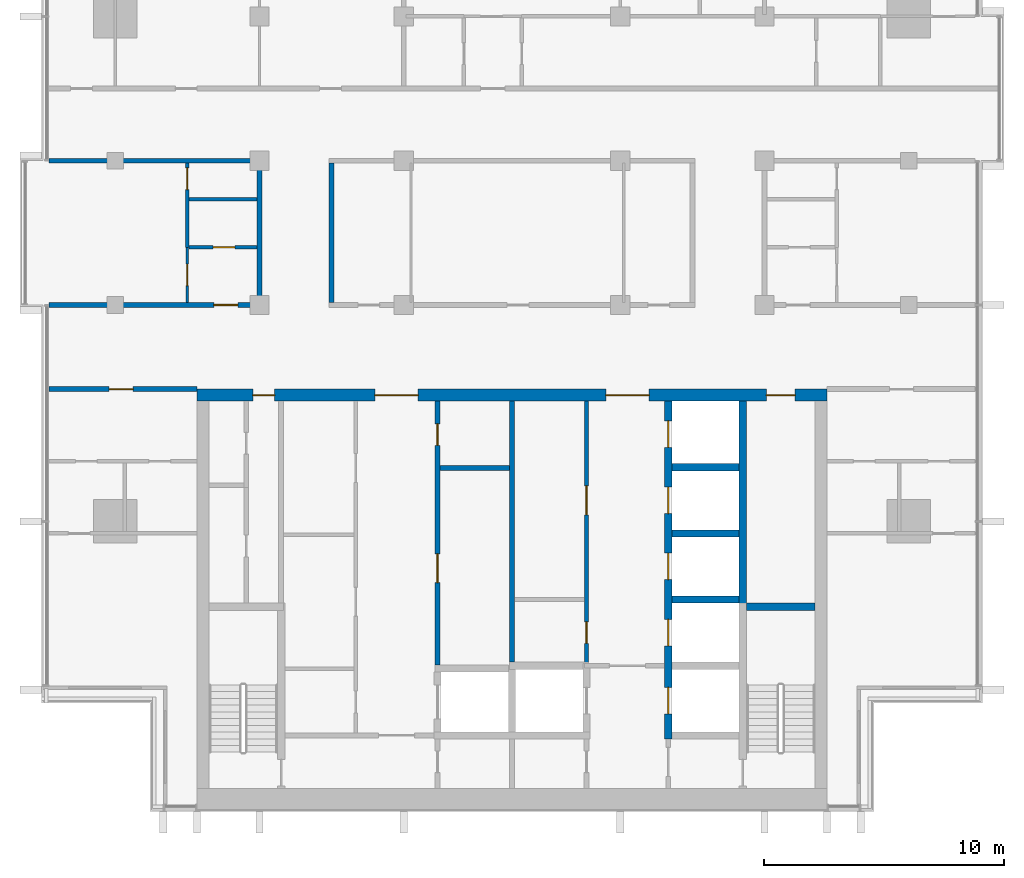
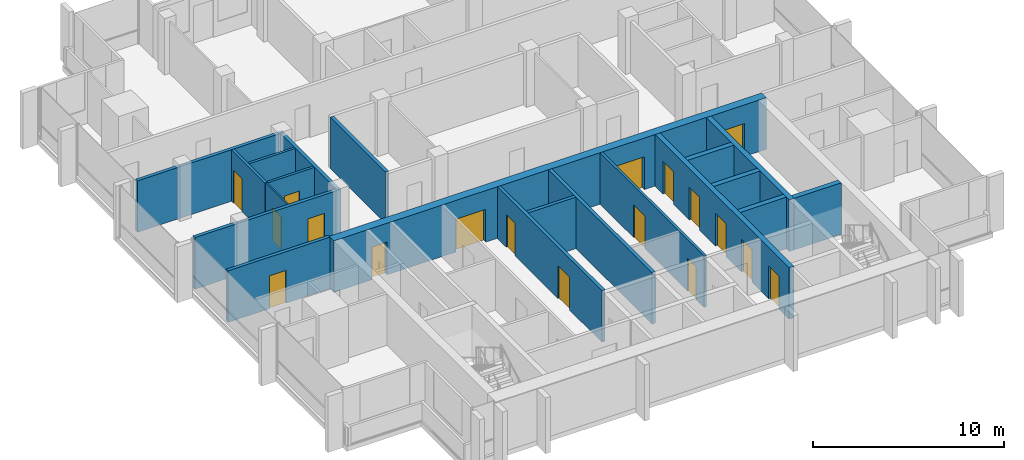
# One storey, part 8 of 16: 20 walls, 18 doors, 18 openings.
"""IFC4 building model written with IfcOpenShell, lengths in metres."""

from ifc_helpers import new_model, si_unit, direction, frame, frame_2d, origin, place, context, subcontext, project, spatial, rectangle, extrude, material, layer, layer_set, type_object, element, fill, save


model = new_model("IFC4")

# Units and contexts
model_context = context("Model", 3, precision=1e-05, world=origin(), true_north=direction((0.0, 1.0)))
body_context = subcontext(model_context, "Body", "Model", "MODEL_VIEW")
ifc_project = project(units=[si_unit("LENGTHUNIT", "METRE"), si_unit("AREAUNIT", "SQUARE_METRE"), si_unit("VOLUMEUNIT", "CUBIC_METRE"), si_unit("PLANEANGLEUNIT", "RADIAN"), si_unit("MASSUNIT", "GRAM", prefix="KILO")], contexts=[model_context])

# Site, building, storey
site_placement = place(None, origin())
site = spatial("IfcSite", under=ifc_project, at=site_placement, CompositionType="ELEMENT")
building_placement = place(site_placement, origin())
building = spatial("IfcBuilding", under=site, at=building_placement, Name="Finial Court Residences", CompositionType="ELEMENT")
storey_placement = place(building_placement, frame((0.0, 0.0, 255.5)))
storey = spatial("IfcBuildingStorey", under=building, at=storey_placement, Name="L64", CompositionType="ELEMENT", Elevation=255.5)

# Wall, openings, doors
ifc_material_1 = material(Name="Concrete C50/60", Category="concrete")
ifc_layer_1 = layer(ifc_material_1, 0.5)
ifc_layer_set_1 = layer_set([ifc_layer_1], Name="Core outer wall 500 Concrete C50/60")
wall_type_1 = type_object("IfcWallType", Name="Core outer wall 500 Concrete C50/60", PredefinedType="SHEAR", material=ifc_layer_set_1)
wall_1_placement = place(storey_placement, frame((-13.10009765625, -8.25, 0.0), z_axis=(0.0, 0.0, 1.0), x_axis=(1.0, 0.0, 0.0)))
wall_1 = element("IfcWall", 1, at=wall_1_placement, inside=storey, type_object=wall_type_1, Name="Core outer wall L64-02", PredefinedType="SHEAR", context=body_context, shape_type="SweptSolid", body=[
    extrude(rectangle(XDim=26.2001953125, YDim=0.5, at=frame_2d((13.10009765625, 0.0))), origin(), (0.0, 0.0, 1.0), 3.300048828125),
])
opening_1_placement = place(wall_1_placement, frame((7.39990234375, 0.0, 0.0)))
opening_1 = element("IfcOpeningElement", 2, at=opening_1_placement, cuts=wall_1, Name="Opening L64-C04", PredefinedType="OPENING", context=body_context, shape_type="SweptSolid", body=[
    extrude(rectangle(XDim=1.800048828125, YDim=2.10009765625, at=frame_2d((0.89990234375, 1.050048828125))), frame((0.0, 0.260009765625, 0.0), z_axis=(0.0, -1.0, 0.0), x_axis=(1.0, 0.0, 0.0)), (0.0, 0.0, 1.0), 0.52001953125),
])
opening_2_placement = place(wall_1_placement, frame((17.0, 0.0, 0.0)))
opening_2 = element("IfcOpeningElement", 3, at=opening_2_placement, cuts=wall_1, Name="Opening L64-C05", PredefinedType="OPENING", context=body_context, shape_type="SweptSolid", body=[
    extrude(rectangle(XDim=1.800048828125, YDim=2.10009765625, at=frame_2d((0.89990234375, 1.050048828125))), frame((0.0, 0.260009765625, 0.0), z_axis=(0.0, -1.0, 0.0), x_axis=(1.0, 0.0, 0.0)), (0.0, 0.0, 1.0), 0.52001953125),
])
opening_3_placement = place(wall_1_placement, frame((2.324951171875, 0.0, 0.0)))
opening_3 = element("IfcOpeningElement", 4, at=opening_3_placement, cuts=wall_1, Name="Opening L64-C10", PredefinedType="OPENING", context=body_context, shape_type="SweptSolid", body=[
    extrude(rectangle(XDim=0.89990234375, YDim=2.10009765625, at=frame_2d((0.449951171875, 1.050048828125))), frame((0.0, 0.260009765625, 0.0), z_axis=(0.0, -1.0, 0.0), x_axis=(1.0, 0.0, 0.0)), (0.0, 0.0, 1.0), 0.52001953125),
])
opening_4_placement = place(wall_1_placement, frame((23.675048828125, 0.0, 0.0)))
opening_4 = element("IfcOpeningElement", 5, at=opening_4_placement, cuts=wall_1, Name="Opening L64-C11", PredefinedType="OPENING", context=body_context, shape_type="SweptSolid", body=[
    extrude(rectangle(XDim=1.199951171875, YDim=2.10009765625, at=frame_2d((0.60009765625, 1.050048828125))), frame((0.0, 0.260009765625, 0.0), z_axis=(0.0, -1.0, 0.0), x_axis=(1.0, 0.0, 0.0)), (0.0, 0.0, 1.0), 0.52001953125),
])
ifc_material_2 = material(Name="Steel fire door", Category="steel")
door_type_1 = type_object("IfcDoorType", Name="Lift lobby door 1800 x 2100 EI 60", OperationType="DOUBLE_DOOR_SINGLE_SWING", PredefinedType="DOOR", material=ifc_material_2)
door_1_placement = place(opening_1_placement, origin())
door_1 = element("IfcDoor", 6, at=door_1_placement, inside=storey, type_object=door_type_1, Name="Lift lobby door L64-C04", OperationType="DOUBLE_DOOR_SINGLE_SWING", OverallHeight=2.10009765625, OverallWidth=1.800048828125, PredefinedType="DOOR", context=body_context, shape_type="SweptSolid", body=[
    extrude(rectangle(XDim=1.800048828125, YDim=2.10009765625, at=frame_2d((0.89990234375, 1.050048828125))), frame((0.0, 0.02490234375, 0.0), z_axis=(0.0, -1.0, 0.0), x_axis=(1.0, 0.0, 0.0)), (0.0, 0.0, 1.0), 0.050048828125),
])
fill(opening_1, door_1)
door_2_placement = place(opening_2_placement, origin())
door_2 = element("IfcDoor", 7, at=door_2_placement, inside=storey, type_object=door_type_1, Name="Lift lobby door L64-C05", OperationType="DOUBLE_DOOR_SINGLE_SWING", OverallHeight=2.10009765625, OverallWidth=1.800048828125, PredefinedType="DOOR", context=body_context, shape_type="SweptSolid", body=[
    extrude(rectangle(XDim=1.800048828125, YDim=2.10009765625, at=frame_2d((0.89990234375, 1.050048828125))), frame((0.0, 0.02490234375, 0.0), z_axis=(0.0, -1.0, 0.0), x_axis=(1.0, 0.0, 0.0)), (0.0, 0.0, 1.0), 0.050048828125),
])
fill(opening_2, door_2)
door_type_2 = type_object("IfcDoorType", Name="Riser room door 1200 x 2100 EI 90", OperationType="NOTDEFINED", PredefinedType="DOOR", material=ifc_material_2)
door_3_placement = place(opening_4_placement, origin())
door_3 = element("IfcDoor", 8, at=door_3_placement, inside=storey, type_object=door_type_2, Name="Riser room door L64-C11", OperationType="SINGLE_SWING_RIGHT", OverallHeight=2.10009765625, OverallWidth=1.199951171875, PredefinedType="DOOR", context=body_context, shape_type="SweptSolid", body=[
    extrude(rectangle(XDim=1.199951171875, YDim=2.10009765625, at=frame_2d((0.60009765625, 1.050048828125))), frame((0.0, 0.02490234375, 0.0), z_axis=(0.0, -1.0, 0.0), x_axis=(1.0, 0.0, 0.0)), (0.0, 0.0, 1.0), 0.050048828125),
])
fill(opening_4, door_3)
door_type_3 = type_object("IfcDoorType", Name="Riser room door 900 x 2100 EI 90", OperationType="NOTDEFINED", PredefinedType="DOOR", material=ifc_material_2)
door_4_placement = place(opening_3_placement, origin())
door_4 = element("IfcDoor", 9, at=door_4_placement, inside=storey, type_object=door_type_3, Name="Riser room door L64-C10", OperationType="SINGLE_SWING_RIGHT", OverallHeight=2.10009765625, OverallWidth=0.89990234375, PredefinedType="DOOR", context=body_context, shape_type="SweptSolid", body=[
    extrude(rectangle(XDim=0.89990234375, YDim=2.10009765625, at=frame_2d((0.449951171875, 1.050048828125))), frame((0.0, 0.02490234375, 0.0), z_axis=(0.0, -1.0, 0.0), x_axis=(1.0, 0.0, 0.0)), (0.0, 0.0, 1.0), 0.050048828125),
])
fill(opening_3, door_4)

ifc_material_3 = material(Name="Fire-rated gypsum board partition")
ifc_layer_2 = layer(ifc_material_3, 0.14990234375)
ifc_layer_set_2 = layer_set([ifc_layer_2], Name="Core room partition 150 EI 60")
wall_type_2 = type_object("IfcWallType", Name="Core room partition 150 EI 60", PredefinedType="PARTITIONING", material=ifc_layer_set_2)
wall_2_placement = place(storey_placement, frame((3.10009765625, -19.39990234375, 0.0), z_axis=(0.0, 0.0, 1.0), x_axis=(0.0, 1.0, 0.0)))
wall_2 = element("IfcWall", 10, at=wall_2_placement, inside=storey, type_object=wall_type_2, Name="Core partition L64-31", PredefinedType="PARTITIONING", context=body_context, shape_type="SweptSolid", body=[
    extrude(rectangle(XDim=10.89990234375, YDim=0.14990234375, at=frame_2d((5.449951171875, 0.0))), origin(), (0.0, 0.0, 1.0), 3.300048828125),
])
opening_5_placement = place(wall_2_placement, frame((0.824951171875, 0.0, 0.0)))
opening_5 = element("IfcOpeningElement", 11, at=opening_5_placement, cuts=wall_2, Name="Opening L64-C17", PredefinedType="OPENING", context=body_context, shape_type="SweptSolid", body=[
    extrude(rectangle(XDim=0.89990234375, YDim=2.10009765625, at=frame_2d((0.449951171875, 1.050048828125))), frame((0.0, 0.0849609375, 0.0), z_axis=(0.0, -1.0, 0.0), x_axis=(1.0, 0.0, 0.0)), (0.0, 0.0, 1.0), 0.169921875),
])
opening_6_placement = place(wall_2_placement, frame((6.175048828125, 0.0, 0.0)))
opening_6 = element("IfcOpeningElement", 12, at=opening_6_placement, cuts=wall_2, Name="Opening L64-C18", PredefinedType="OPENING", context=body_context, shape_type="SweptSolid", body=[
    extrude(rectangle(XDim=1.199951171875, YDim=2.10009765625, at=frame_2d((0.60009765625, 1.050048828125))), frame((0.0, 0.0849609375, 0.0), z_axis=(0.0, -1.0, 0.0), x_axis=(1.0, 0.0, 0.0)), (0.0, 0.0, 1.0), 0.169921875),
])
door_type_4 = type_object("IfcDoorType", Name="Core room door 1200 x 2100 EI 60", OperationType="NOTDEFINED", PredefinedType="DOOR", material=ifc_material_2)
door_5_placement = place(opening_6_placement, origin())
door_5 = element("IfcDoor", 13, at=door_5_placement, inside=storey, type_object=door_type_4, Name="Core room door L64-C18", OperationType="SINGLE_SWING_LEFT", OverallHeight=2.10009765625, OverallWidth=1.199951171875, PredefinedType="DOOR", context=body_context, shape_type="SweptSolid", body=[
    extrude(rectangle(XDim=1.199951171875, YDim=2.10009765625, at=frame_2d((0.60009765625, 1.050048828125))), frame((0.0, 0.02490234375, 0.0), z_axis=(0.0, -1.0, 0.0), x_axis=(1.0, 0.0, 0.0)), (0.0, 0.0, 1.0), 0.050048828125),
])
fill(opening_6, door_5)
door_type_5 = type_object("IfcDoorType", Name="Core room door 900 x 2100 EI 60", OperationType="NOTDEFINED", PredefinedType="DOOR", material=ifc_material_2)
door_6_placement = place(opening_5_placement, origin())
door_6 = element("IfcDoor", 14, at=door_6_placement, inside=storey, type_object=door_type_5, Name="Core room door L64-C17", OperationType="SINGLE_SWING_LEFT", OverallHeight=2.10009765625, OverallWidth=0.89990234375, PredefinedType="DOOR", context=body_context, shape_type="SweptSolid", body=[
    extrude(rectangle(XDim=0.89990234375, YDim=2.10009765625, at=frame_2d((0.449951171875, 1.050048828125))), frame((0.0, 0.02490234375, 0.0), z_axis=(0.0, -1.0, 0.0), x_axis=(1.0, 0.0, 0.0)), (0.0, 0.0, 1.0), 0.050048828125),
])
fill(opening_5, door_6)

# Wall, opening, door
ifc_material_4 = material(Name="Gypsum board")
ifc_layer_3 = layer(ifc_material_4, 0.02490234375)
ifc_material_5 = material(Name="Acoustic mineral wool in double frame")
ifc_layer_4 = layer(ifc_material_5, 0.14990234375)
ifc_layer_5 = layer(ifc_material_4, 0.02490234375)
ifc_layer_set_3 = layer_set([ifc_layer_3, ifc_layer_4, ifc_layer_5], Name="Corridor wall 200, 1 hour")
wall_type_3 = type_object("IfcWallType", Name="Corridor wall 200, 1 hour", PredefinedType="PARTITIONING", material=ifc_layer_set_3)
wall_3_placement = place(storey_placement, frame((-19.262451171875, -8.0, 0.0), z_axis=(0.0, 0.0, 1.0), x_axis=(1.0, 0.0, 0.0)))
wall_3 = element("IfcWall", 15, at=wall_3_placement, inside=storey, type_object=wall_type_3, Name="Partition L64-004", PredefinedType="PARTITIONING", context=body_context, shape_type="SweptSolid", body=[
    extrude(rectangle(XDim=6.162353515625, YDim=0.199951171875, at=frame_2d((3.0810546875, 0.0))), origin(), (0.0, 0.0, 1.0), 3.300048828125),
])
opening_7_placement = place(wall_3_placement, frame((2.511962890625, 0.0, 0.0)))
opening_7 = element("IfcOpeningElement", 16, at=opening_7_placement, cuts=wall_3, Name="Opening L64-D007", PredefinedType="OPENING", context=body_context, shape_type="SweptSolid", body=[
    extrude(rectangle(XDim=1.0, YDim=2.10009765625, at=frame_2d((0.5, 1.050048828125))), frame((0.0, 0.10986328125, 0.0), z_axis=(0.0, -1.0, 0.0), x_axis=(1.0, 0.0, 0.0)), (0.0, 0.0, 1.0), 0.219970703125),
])
ifc_material_6 = material(Name="Timber door leaf in hollow metal frame", Category="wood")
door_type_6 = type_object("IfcDoorType", Name="Fire door set 1000 x 2100, 30 minutes", OperationType="SINGLE_SWING_LEFT", PredefinedType="DOOR", material=ifc_material_6)
door_7_placement = place(opening_7_placement, origin())
door_7 = element("IfcDoor", 17, at=door_7_placement, inside=storey, type_object=door_type_6, Name="Door L64-D007", OperationType="SINGLE_SWING_LEFT", OverallHeight=2.10009765625, OverallWidth=1.0, PredefinedType="DOOR", context=body_context, shape_type="SweptSolid", body=[
    extrude(rectangle(XDim=1.0, YDim=2.10009765625, at=frame_2d((0.5, 1.050048828125))), frame((0.0, 0.02490234375, 0.0), z_axis=(0.0, -1.0, 0.0), x_axis=(1.0, 0.0, 0.0)), (0.0, 0.0, 1.0), 0.050048828125),
])
fill(opening_7, door_7)

wall_4_placement = place(storey_placement, frame((-19.262451171875, -4.5, 0.0), z_axis=(0.0, 0.0, 1.0), x_axis=(1.0, 0.0, 0.0)))
wall_4 = element("IfcWall", 18, at=wall_4_placement, inside=storey, type_object=wall_type_3, Name="Partition L64-006", PredefinedType="PARTITIONING", context=body_context, shape_type="SweptSolid", body=[
    extrude(rectangle(XDim=8.862548828125, YDim=0.199951171875, at=frame_2d((4.43115234375, 0.0))), origin(), (0.0, 0.0, 1.0), 3.300048828125),
])
opening_8_placement = place(wall_4_placement, frame((6.862060546875, 0.0, 0.0)))
opening_8 = element("IfcOpeningElement", 19, at=opening_8_placement, cuts=wall_4, Name="Opening L64-D009", PredefinedType="OPENING", context=body_context, shape_type="SweptSolid", body=[
    extrude(rectangle(XDim=1.0, YDim=2.10009765625, at=frame_2d((0.5, 1.050048828125))), frame((0.0, 0.10986328125, 0.0), z_axis=(0.0, -1.0, 0.0), x_axis=(1.0, 0.0, 0.0)), (0.0, 0.0, 1.0), 0.219970703125),
])
door_8_placement = place(opening_8_placement, origin())
door_8 = element("IfcDoor", 20, at=door_8_placement, inside=storey, type_object=door_type_6, Name="Door L64-D009", OperationType="SINGLE_SWING_LEFT", OverallHeight=2.10009765625, OverallWidth=1.0, PredefinedType="DOOR", context=body_context, shape_type="SweptSolid", body=[
    extrude(rectangle(XDim=1.0, YDim=2.10009765625, at=frame_2d((0.5, 1.050048828125))), frame((0.0, 0.02490234375, 0.0), z_axis=(0.0, -1.0, 0.0), x_axis=(1.0, 0.0, 0.0)), (0.0, 0.0, 1.0), 0.050048828125),
])
fill(opening_8, door_8)

# Walls
wall_5_placement = place(storey_placement, frame((-19.262451171875, 1.5, 0.0), z_axis=(0.0, 0.0, 1.0), x_axis=(1.0, 0.0, 0.0)))
element("IfcWall", 21, at=wall_5_placement, inside=storey, type_object=wall_type_3, Name="Partition L64-013", PredefinedType="PARTITIONING", context=body_context, shape_type="SweptSolid", body=[
    extrude(rectangle(XDim=8.862548828125, YDim=0.199951171875, at=frame_2d((4.43115234375, 0.0))), origin(), (0.0, 0.0, 1.0), 3.300048828125),
])
for number, where, z_axis, x_axis, name in (
    (22, (-10.5, -4.39990234375, 0.0), (0.0, 0.0, 1.0), (0.0, 1.0, 0.0), "Partition L64-027"),
    (23, (-7.5, -4.39990234375, 0.0), (0.0, 0.0, 1.0), (0.0, 1.0, 0.0), "Partition L64-029"),
):
    element("IfcWall", number, at=place(storey_placement, frame(where, z_axis=z_axis, x_axis=x_axis)), inside=storey, type_object=wall_type_3, Name=name, PredefinedType="PARTITIONING", context=body_context, shape_type="SweptSolid", body=[
        extrude(rectangle(XDim=5.7998046875, YDim=0.199951171875, at=frame_2d((2.89990234375, 0.0))), origin(), (0.0, 0.0, 1.0), 3.300048828125),
    ])

# Wall, opening, door
ifc_layer_6 = layer(ifc_material_4, 0.012451171875)
ifc_material_7 = material(Name="Mineral wool in light-gauge frame")
ifc_layer_7 = layer(ifc_material_7, 0.074951171875)
ifc_layer_8 = layer(ifc_material_4, 0.012451171875)
ifc_layer_set_4 = layer_set([ifc_layer_6, ifc_layer_7, ifc_layer_8], Name="Gypsum board partition 100")
wall_type_4 = type_object("IfcWallType", Name="Gypsum board partition 100", PredefinedType="PARTITIONING", material=ifc_layer_set_4)
wall_6_placement = place(storey_placement, frame((-13.5, -4.39990234375, 0.0), z_axis=(0.0, 0.0, 1.0), x_axis=(0.0, 1.0, 0.0)))
wall_6 = element("IfcWall", 24, at=wall_6_placement, inside=storey, type_object=wall_type_4, Name="Partition L64-025", PredefinedType="PARTITIONING", context=body_context, shape_type="SweptSolid", body=[
    extrude(rectangle(XDim=2.2998046875, YDim=0.10009765625, at=frame_2d((1.14990234375, 0.0))), origin(), (0.0, 0.0, 1.0), 3.300048828125),
])
opening_9_placement = place(wall_6_placement, frame((0.699951171875, 0.0, 0.0)))
opening_9 = element("IfcOpeningElement", 25, at=opening_9_placement, cuts=wall_6, Name="Opening L64-D024", PredefinedType="OPENING", context=body_context, shape_type="SweptSolid", body=[
    extrude(rectangle(XDim=0.89990234375, YDim=2.10009765625, at=frame_2d((0.449951171875, 1.050048828125))), frame((0.0, 0.06005859375, 0.0), z_axis=(0.0, -1.0, 0.0), x_axis=(1.0, 0.0, 0.0)), (0.0, 0.0, 1.0), 0.1201171875),
])
ifc_material_8 = material(Name="Timber door leaf in timber frame", Category="wood")
door_type_7 = type_object("IfcDoorType", Name="Door set 900 x 2100", OperationType="SINGLE_SWING_LEFT", PredefinedType="DOOR", material=ifc_material_8)
door_9_placement = place(opening_9_placement, origin())
door_9 = element("IfcDoor", 26, at=door_9_placement, inside=storey, type_object=door_type_7, Name="Door L64-D024", OperationType="SINGLE_SWING_RIGHT", OverallHeight=2.10009765625, OverallWidth=0.89990234375, PredefinedType="DOOR", context=body_context, shape_type="SweptSolid", body=[
    extrude(rectangle(XDim=0.89990234375, YDim=2.10009765625, at=frame_2d((0.449951171875, 1.050048828125))), frame((0.0, 0.02490234375, 0.0), z_axis=(0.0, -1.0, 0.0), x_axis=(1.0, 0.0, 0.0)), (0.0, 0.0, 1.0), 0.050048828125),
])
fill(opening_9, door_9)

ifc_material_9 = material(Name="Moisture-resistant gypsum board")
ifc_layer_9 = layer(ifc_material_9, 0.012451171875)
ifc_layer_10 = layer(ifc_material_7, 0.125)
ifc_layer_11 = layer(ifc_material_9, 0.012451171875)
ifc_layer_set_5 = layer_set([ifc_layer_9, ifc_layer_10, ifc_layer_11], Name="Gypsum board wet-area partition 150")
wall_type_5 = type_object("IfcWallType", Name="Gypsum board wet-area partition 150", PredefinedType="PARTITIONING", material=ifc_layer_set_5)
wall_7_placement = place(storey_placement, frame((-13.425048828125, -2.10009765625, 0.0), z_axis=(0.0, 0.0, 1.0), x_axis=(1.0, 0.0, 0.0)))
wall_7 = element("IfcWall", 27, at=wall_7_placement, inside=storey, type_object=wall_type_5, Name="Partition L64-009", PredefinedType="PARTITIONING", context=body_context, shape_type="SweptSolid", body=[
    extrude(rectangle(XDim=2.824951171875, YDim=0.14990234375, at=frame_2d((1.41259765625, 0.0))), origin(), (0.0, 0.0, 1.0), 3.300048828125),
])
opening_10_placement = place(wall_7_placement, frame((1.0, 0.0, 0.0)))
opening_10 = element("IfcOpeningElement", 28, at=opening_10_placement, cuts=wall_7, Name="Opening L64-D014", PredefinedType="OPENING", context=body_context, shape_type="SweptSolid", body=[
    extrude(rectangle(XDim=0.89990234375, YDim=2.10009765625, at=frame_2d((0.449951171875, 1.050048828125))), frame((0.0, 0.0849609375, 0.0), z_axis=(0.0, -1.0, 0.0), x_axis=(1.0, 0.0, 0.0)), (0.0, 0.0, 1.0), 0.169921875),
])
door_10_placement = place(opening_10_placement, origin())
door_10 = element("IfcDoor", 29, at=door_10_placement, inside=storey, type_object=door_type_7, Name="Door L64-D014", OperationType="SINGLE_SWING_LEFT", OverallHeight=2.10009765625, OverallWidth=0.89990234375, PredefinedType="DOOR", context=body_context, shape_type="SweptSolid", body=[
    extrude(rectangle(XDim=0.89990234375, YDim=2.10009765625, at=frame_2d((0.449951171875, 1.050048828125))), frame((0.0, 0.02490234375, 0.0), z_axis=(0.0, -1.0, 0.0), x_axis=(1.0, 0.0, 0.0)), (0.0, 0.0, 1.0), 0.050048828125),
])
fill(opening_10, door_10)

# Wall
wall_8_placement = place(storey_placement, frame((-13.425048828125, -0.10009765625, 0.0), z_axis=(0.0, 0.0, 1.0), x_axis=(1.0, 0.0, 0.0)))
element("IfcWall", 30, at=wall_8_placement, inside=storey, type_object=wall_type_5, Name="Partition L64-011", PredefinedType="PARTITIONING", context=body_context, shape_type="SweptSolid", body=[
    extrude(rectangle(XDim=2.824951171875, YDim=0.14990234375, at=frame_2d((1.41259765625, 0.0))), origin(), (0.0, 0.0, 1.0), 3.300048828125),
])

# Wall, opening, door
wall_9_placement = place(storey_placement, frame((-13.5, -2.10009765625, 0.0), z_axis=(0.0, 0.0, 1.0), x_axis=(0.0, 1.0, 0.0)))
wall_9 = element("IfcWall", 31, at=wall_9_placement, inside=storey, type_object=wall_type_5, Name="Partition L64-026", PredefinedType="PARTITIONING", context=body_context, shape_type="SweptSolid", body=[
    extrude(rectangle(XDim=3.5, YDim=0.14990234375, at=frame_2d((1.75, 0.0))), origin(), (0.0, 0.0, 1.0), 3.300048828125),
])
opening_11_placement = place(wall_9_placement, frame((2.39990234375, 0.0, 0.0)))
opening_11 = element("IfcOpeningElement", 32, at=opening_11_placement, cuts=wall_9, Name="Opening L64-D025", PredefinedType="OPENING", context=body_context, shape_type="SweptSolid", body=[
    extrude(rectangle(XDim=0.89990234375, YDim=2.10009765625, at=frame_2d((0.449951171875, 1.050048828125))), frame((0.0, 0.0849609375, 0.0), z_axis=(0.0, -1.0, 0.0), x_axis=(1.0, 0.0, 0.0)), (0.0, 0.0, 1.0), 0.169921875),
])
door_11_placement = place(opening_11_placement, origin())
door_11 = element("IfcDoor", 33, at=door_11_placement, inside=storey, type_object=door_type_7, Name="Door L64-D025", OperationType="SINGLE_SWING_RIGHT", OverallHeight=2.10009765625, OverallWidth=0.89990234375, PredefinedType="DOOR", context=body_context, shape_type="SweptSolid", body=[
    extrude(rectangle(XDim=0.89990234375, YDim=2.10009765625, at=frame_2d((0.449951171875, 1.050048828125))), frame((0.0, 0.02490234375, 0.0), z_axis=(0.0, -1.0, 0.0), x_axis=(1.0, 0.0, 0.0)), (0.0, 0.0, 1.0), 0.050048828125),
])
fill(opening_11, door_11)

# Walls
ifc_layer_12 = layer(ifc_material_1, 0.300048828125)
ifc_layer_set_6 = layer_set([ifc_layer_12], Name="Lift shaft and stair wall 300 Concrete C50/60")
wall_type_6 = type_object("IfcWallType", Name="Lift shaft and stair wall 300 Concrete C50/60", PredefinedType="SHEAR", material=ifc_layer_set_6)
wall_10_placement = place(storey_placement, frame((9.75, -17.050048828125, 0.0), z_axis=(0.0, 0.0, 1.0), x_axis=(1.0, 0.0, 0.0)))
element("IfcWall", 34, at=wall_10_placement, inside=storey, type_object=wall_type_6, Name="Core wall L64-10", PredefinedType="SHEAR", context=body_context, shape_type="SweptSolid", body=[
    extrude(rectangle(XDim=2.85009765625, YDim=0.300048828125, at=frame_2d((1.425048828125, 0.0))), origin(), (0.0, 0.0, 1.0), 3.300048828125),
])
for number, where, z_axis, x_axis, name in (
    (35, (6.64990234375, -16.75, 0.0), (0.0, 0.0, 1.0), (1.0, 0.0, 0.0), "Core wall L64-12"),
    (36, (6.64990234375, -14.0, 0.0), (0.0, 0.0, 1.0), (1.0, 0.0, 0.0), "Core wall L64-14"),
    (37, (6.64990234375, -11.25, 0.0), (0.0, 0.0, 1.0), (1.0, 0.0, 0.0), "Core wall L64-17"),
):
    element("IfcWall", number, at=place(storey_placement, frame(where, z_axis=z_axis, x_axis=x_axis)), inside=storey, type_object=wall_type_6, Name=name, PredefinedType="SHEAR", context=body_context, shape_type="SweptSolid", body=[
        extrude(rectangle(XDim=2.800048828125, YDim=0.300048828125, at=frame_2d((1.39990234375, 0.0))), origin(), (0.0, 0.0, 1.0), 3.300048828125),
    ])

# Wall, openings, doors
wall_11_placement = place(storey_placement, frame((6.5, -22.550048828125, 0.0), z_axis=(0.0, 0.0, 1.0), x_axis=(0.0, 1.0, 0.0)))
wall_11 = element("IfcWall", 38, at=wall_11_placement, inside=storey, type_object=wall_type_6, Name="Core wall L64-33", PredefinedType="SHEAR", context=body_context, shape_type="SweptSolid", body=[
    extrude(rectangle(XDim=14.050048828125, YDim=0.300048828125, at=frame_2d((7.02490234375, 0.0))), origin(), (0.0, 0.0, 1.0), 3.300048828125),
])
opening_12_placement = place(wall_11_placement, frame((1.050048828125, 0.0, 0.0)))
opening_12 = element("IfcOpeningElement", 39, at=opening_12_placement, cuts=wall_11, Name="Opening L64-LD02", PredefinedType="OPENING", context=body_context, shape_type="SweptSolid", body=[
    extrude(rectangle(XDim=1.10009765625, YDim=2.10009765625, at=frame_2d((0.550048828125, 1.050048828125))), frame((0.0, 0.159912109375, 0.0), z_axis=(0.0, -1.0, 0.0), x_axis=(1.0, 0.0, 0.0)), (0.0, 0.0, 1.0), 0.320068359375),
])
opening_13_placement = place(wall_11_placement, frame((3.875, 0.0, 0.0)))
opening_13 = element("IfcOpeningElement", 40, at=opening_13_placement, cuts=wall_11, Name="Opening L64-LD03", PredefinedType="OPENING", context=body_context, shape_type="SweptSolid", body=[
    extrude(rectangle(XDim=1.10009765625, YDim=2.10009765625, at=frame_2d((0.550048828125, 1.050048828125))), frame((0.0, 0.159912109375, 0.0), z_axis=(0.0, -1.0, 0.0), x_axis=(1.0, 0.0, 0.0)), (0.0, 0.0, 1.0), 0.320068359375),
])
opening_14_placement = place(wall_11_placement, frame((6.625, 0.0, 0.0)))
opening_14 = element("IfcOpeningElement", 41, at=opening_14_placement, cuts=wall_11, Name="Opening L64-LD04", PredefinedType="OPENING", context=body_context, shape_type="SweptSolid", body=[
    extrude(rectangle(XDim=1.10009765625, YDim=2.10009765625, at=frame_2d((0.550048828125, 1.050048828125))), frame((0.0, 0.159912109375, 0.0), z_axis=(0.0, -1.0, 0.0), x_axis=(1.0, 0.0, 0.0)), (0.0, 0.0, 1.0), 0.320068359375),
])
opening_15_placement = place(wall_11_placement, frame((9.375, 0.0, 0.0)))
opening_15 = element("IfcOpeningElement", 42, at=opening_15_placement, cuts=wall_11, Name="Opening L64-LD05", PredefinedType="OPENING", context=body_context, shape_type="SweptSolid", body=[
    extrude(rectangle(XDim=1.10009765625, YDim=2.10009765625, at=frame_2d((0.550048828125, 1.050048828125))), frame((0.0, 0.159912109375, 0.0), z_axis=(0.0, -1.0, 0.0), x_axis=(1.0, 0.0, 0.0)), (0.0, 0.0, 1.0), 0.320068359375),
])
opening_16_placement = place(wall_11_placement, frame((12.125, 0.0, 0.0)))
opening_16 = element("IfcOpeningElement", 43, at=opening_16_placement, cuts=wall_11, Name="Opening L64-LD06", PredefinedType="OPENING", context=body_context, shape_type="SweptSolid", body=[
    extrude(rectangle(XDim=1.10009765625, YDim=2.10009765625, at=frame_2d((0.550048828125, 1.050048828125))), frame((0.0, 0.159912109375, 0.0), z_axis=(0.0, -1.0, 0.0), x_axis=(1.0, 0.0, 0.0)), (0.0, 0.0, 1.0), 0.320068359375),
])
ifc_material_10 = material(Name="Stainless steel lift door", Category="steel")
door_type_8 = type_object("IfcDoorType", Name="Lift landing door 1100 x 2100 EI 90", OperationType="DOUBLE_DOOR_SLIDING", PredefinedType="DOOR", material=ifc_material_10)
door_12_placement = place(opening_12_placement, origin())
door_12 = element("IfcDoor", 44, at=door_12_placement, inside=storey, type_object=door_type_8, Name="Lift landing door FF2 L64", OperationType="DOUBLE_DOOR_SLIDING", OverallHeight=2.10009765625, OverallWidth=1.10009765625, PredefinedType="DOOR", context=body_context, shape_type="SweptSolid", body=[
    extrude(rectangle(XDim=1.10009765625, YDim=2.10009765625, at=frame_2d((0.550048828125, 1.050048828125))), frame((0.0, 0.02490234375, 0.0), z_axis=(0.0, -1.0, 0.0), x_axis=(1.0, 0.0, 0.0)), (0.0, 0.0, 1.0), 0.050048828125),
])
fill(opening_12, door_12)
door_13_placement = place(opening_13_placement, origin())
door_13 = element("IfcDoor", 45, at=door_13_placement, inside=storey, type_object=door_type_8, Name="Lift landing door HR5 L64", OperationType="DOUBLE_DOOR_SLIDING", OverallHeight=2.10009765625, OverallWidth=1.10009765625, PredefinedType="DOOR", context=body_context, shape_type="SweptSolid", body=[
    extrude(rectangle(XDim=1.10009765625, YDim=2.10009765625, at=frame_2d((0.550048828125, 1.050048828125))), frame((0.0, 0.02490234375, 0.0), z_axis=(0.0, -1.0, 0.0), x_axis=(1.0, 0.0, 0.0)), (0.0, 0.0, 1.0), 0.050048828125),
])
fill(opening_13, door_13)
door_14_placement = place(opening_14_placement, origin())
door_14 = element("IfcDoor", 46, at=door_14_placement, inside=storey, type_object=door_type_8, Name="Lift landing door HR6 L64", OperationType="DOUBLE_DOOR_SLIDING", OverallHeight=2.10009765625, OverallWidth=1.10009765625, PredefinedType="DOOR", context=body_context, shape_type="SweptSolid", body=[
    extrude(rectangle(XDim=1.10009765625, YDim=2.10009765625, at=frame_2d((0.550048828125, 1.050048828125))), frame((0.0, 0.02490234375, 0.0), z_axis=(0.0, -1.0, 0.0), x_axis=(1.0, 0.0, 0.0)), (0.0, 0.0, 1.0), 0.050048828125),
])
fill(opening_14, door_14)
door_15_placement = place(opening_15_placement, origin())
door_15 = element("IfcDoor", 47, at=door_15_placement, inside=storey, type_object=door_type_8, Name="Lift landing door HR7 L64", OperationType="DOUBLE_DOOR_SLIDING", OverallHeight=2.10009765625, OverallWidth=1.10009765625, PredefinedType="DOOR", context=body_context, shape_type="SweptSolid", body=[
    extrude(rectangle(XDim=1.10009765625, YDim=2.10009765625, at=frame_2d((0.550048828125, 1.050048828125))), frame((0.0, 0.02490234375, 0.0), z_axis=(0.0, -1.0, 0.0), x_axis=(1.0, 0.0, 0.0)), (0.0, 0.0, 1.0), 0.050048828125),
])
fill(opening_15, door_15)
door_16_placement = place(opening_16_placement, origin())
door_16 = element("IfcDoor", 48, at=door_16_placement, inside=storey, type_object=door_type_8, Name="Lift landing door HR8 L64", OperationType="DOUBLE_DOOR_SLIDING", OverallHeight=2.10009765625, OverallWidth=1.10009765625, PredefinedType="DOOR", context=body_context, shape_type="SweptSolid", body=[
    extrude(rectangle(XDim=1.10009765625, YDim=2.10009765625, at=frame_2d((0.550048828125, 1.050048828125))), frame((0.0, 0.02490234375, 0.0), z_axis=(0.0, -1.0, 0.0), x_axis=(1.0, 0.0, 0.0)), (0.0, 0.0, 1.0), 0.050048828125),
])
fill(opening_16, door_16)

# Walls
wall_12_placement = place(storey_placement, frame((9.60009765625, -17.199951171875, 0.0), z_axis=(0.0, 0.0, 1.0), x_axis=(0.0, 1.0, 0.0)))
element("IfcWall", 49, at=wall_12_placement, inside=storey, type_object=wall_type_6, Name="Core wall L64-35", PredefinedType="SHEAR", context=body_context, shape_type="SweptSolid", body=[
    extrude(rectangle(XDim=8.699951171875, YDim=0.300048828125, at=frame_2d((4.35009765625, 0.0))), origin(), (0.0, 0.0, 1.0), 3.300048828125),
])
ifc_layer_13 = layer(ifc_material_3, 0.199951171875)
ifc_layer_set_7 = layer_set([ifc_layer_13], Name="Riser room wall 200 EI 120")
wall_type_7 = type_object("IfcWallType", Name="Riser room wall 200 EI 120", PredefinedType="PARTITIONING", material=ifc_layer_set_7)
wall_13_placement = place(storey_placement, frame((-3.0, -11.280029296875, 0.0), z_axis=(0.0, 0.0, 1.0), x_axis=(1.0, 0.0, 0.0)))
element("IfcWall", 50, at=wall_13_placement, inside=storey, type_object=wall_type_7, Name="Core partition L64-16", PredefinedType="PARTITIONING", context=body_context, shape_type="SweptSolid", body=[
    extrude(rectangle(XDim=2.89990234375, YDim=0.199951171875, at=frame_2d((1.449951171875, 0.0))), origin(), (0.0, 0.0, 1.0), 3.300048828125),
])

# Wall, openings, doors
wall_14_placement = place(storey_placement, frame((-3.10009765625, -8.5, 0.0), z_axis=(0.0, 0.0, 1.0), x_axis=(0.0, -1.0, 0.0)))
wall_14 = element("IfcWall", 51, at=wall_14_placement, inside=storey, type_object=wall_type_7, Name="Core partition L64-25", PredefinedType="PARTITIONING", context=body_context, shape_type="SweptSolid", body=[
    extrude(rectangle(XDim=10.969970703125, YDim=0.199951171875, at=frame_2d((5.48486328125, 0.0))), origin(), (0.0, 0.0, 1.0), 3.300048828125),
])
opening_17_placement = place(wall_14_placement, frame((6.35009765625, 0.0, 0.0)))
opening_17 = element("IfcOpeningElement", 52, at=opening_17_placement, cuts=wall_14, Name="Opening L64-C08", PredefinedType="OPENING", context=body_context, shape_type="SweptSolid", body=[
    extrude(rectangle(XDim=1.199951171875, YDim=2.10009765625, at=frame_2d((0.60009765625, 1.050048828125))), frame((0.0, 0.10986328125, 0.0), z_axis=(0.0, -1.0, 0.0), x_axis=(1.0, 0.0, 0.0)), (0.0, 0.0, 1.0), 0.219970703125),
])
opening_18_placement = place(wall_14_placement, frame((0.93994140625, 0.0, 0.0)))
opening_18 = element("IfcOpeningElement", 53, at=opening_18_placement, cuts=wall_14, Name="Opening L64-C09", PredefinedType="OPENING", context=body_context, shape_type="SweptSolid", body=[
    extrude(rectangle(XDim=0.89990234375, YDim=2.10009765625, at=frame_2d((0.449951171875, 1.050048828125))), frame((0.0, 0.10986328125, 0.0), z_axis=(0.0, -1.0, 0.0), x_axis=(1.0, 0.0, 0.0)), (0.0, 0.0, 1.0), 0.219970703125),
])
door_17_placement = place(opening_17_placement, origin())
door_17 = element("IfcDoor", 54, at=door_17_placement, inside=storey, type_object=door_type_2, Name="Riser room door L64-C08", OperationType="SINGLE_SWING_RIGHT", OverallHeight=2.10009765625, OverallWidth=1.199951171875, PredefinedType="DOOR", context=body_context, shape_type="SweptSolid", body=[
    extrude(rectangle(XDim=1.199951171875, YDim=2.10009765625, at=frame_2d((0.60009765625, 1.050048828125))), frame((0.0, 0.02490234375, 0.0), z_axis=(0.0, -1.0, 0.0), x_axis=(1.0, 0.0, 0.0)), (0.0, 0.0, 1.0), 0.050048828125),
])
fill(opening_17, door_17)
door_18_placement = place(opening_18_placement, origin())
door_18 = element("IfcDoor", 55, at=door_18_placement, inside=storey, type_object=door_type_3, Name="Riser room door L64-C09", OperationType="SINGLE_SWING_RIGHT", OverallHeight=2.10009765625, OverallWidth=0.89990234375, PredefinedType="DOOR", context=body_context, shape_type="SweptSolid", body=[
    extrude(rectangle(XDim=0.89990234375, YDim=2.10009765625, at=frame_2d((0.449951171875, 1.050048828125))), frame((0.0, 0.02490234375, 0.0), z_axis=(0.0, -1.0, 0.0), x_axis=(1.0, 0.0, 0.0)), (0.0, 0.0, 1.0), 0.050048828125),
])
fill(opening_18, door_18)

# Wall
wall_15_placement = place(storey_placement, frame((0.0, -19.35009765625, 0.0), z_axis=(0.0, 0.0, 1.0), x_axis=(0.0, 1.0, 0.0)))
element("IfcWall", 56, at=wall_15_placement, inside=storey, type_object=wall_type_7, Name="Core partition L64-28", PredefinedType="PARTITIONING", context=body_context, shape_type="SweptSolid", body=[
    extrude(rectangle(XDim=10.85009765625, YDim=0.199951171875, at=frame_2d((5.425048828125, 0.0))), origin(), (0.0, 0.0, 1.0), 3.300048828125),
])

save(model, "model.ifc")
